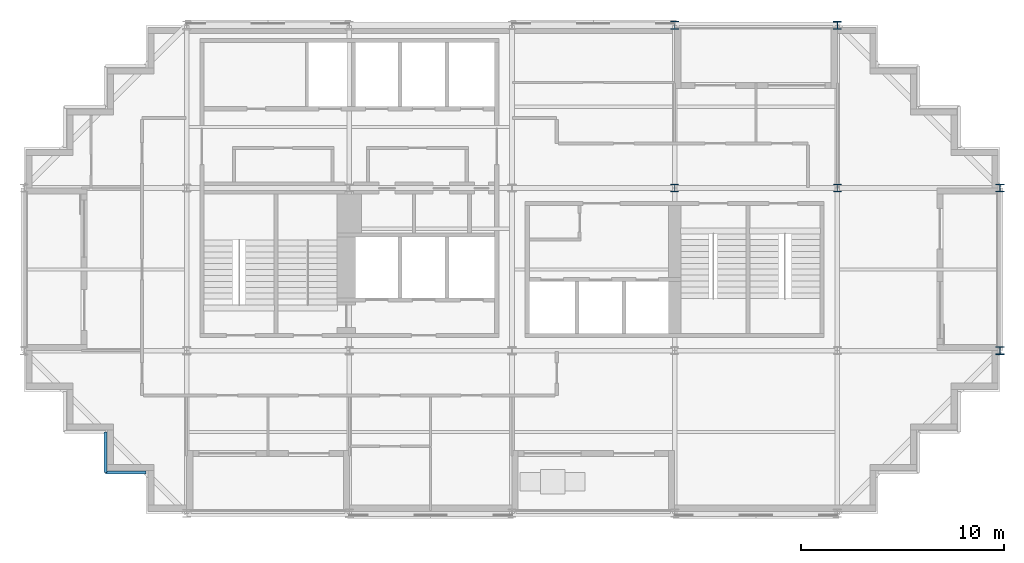
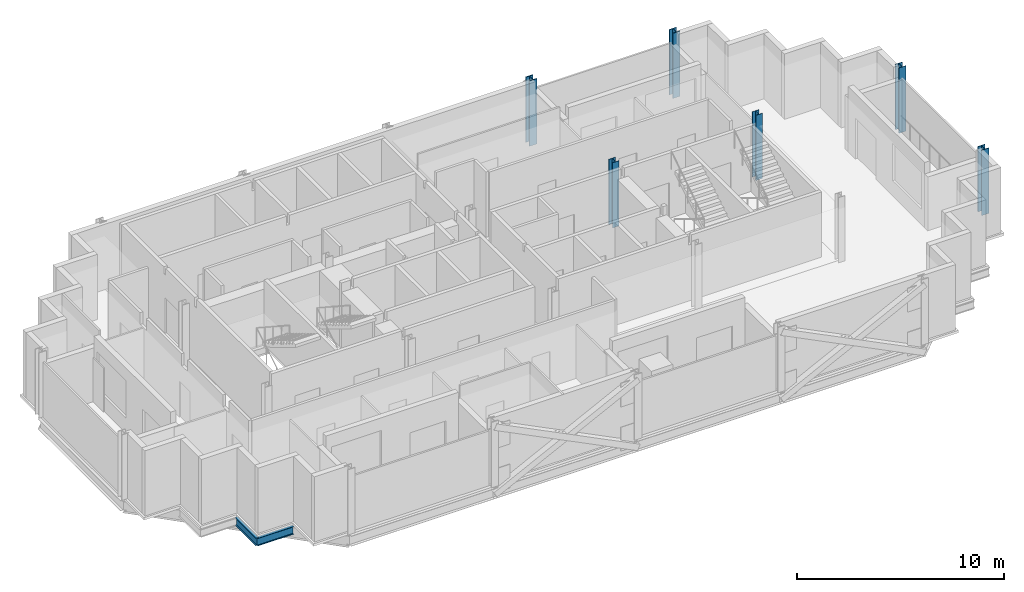
# One storey, part 2 of 10: 6 columns, 2 beams.
"""IFC4 building model written with IfcOpenShell, lengths in metres."""

from ifc_helpers import new_model, si_unit, direction, frame, origin, origin_2d, place, context, subcontext, project, spatial, i_section, extrude, material, material_profile, profile_set, type_object, element, save


model = new_model("IFC4")

# Units and contexts
model_context = context("Model", 3, precision=1e-05, world=origin(), true_north=direction((0.0, 1.0)))
body_context = subcontext(model_context, "Body", "Model", "MODEL_VIEW")
ifc_project = project(units=[si_unit("LENGTHUNIT", "METRE"), si_unit("AREAUNIT", "SQUARE_METRE"), si_unit("VOLUMEUNIT", "CUBIC_METRE"), si_unit("PLANEANGLEUNIT", "RADIAN"), si_unit("MASSUNIT", "GRAM", prefix="KILO")], contexts=[model_context])

# Site, building, storey
site_placement = place(None, origin())
site = spatial("IfcSite", under=ifc_project, at=site_placement, CompositionType="ELEMENT")
building_placement = place(site_placement, origin())
building = spatial("IfcBuilding", under=site, at=building_placement, Name="Immortelle Media Tower", CompositionType="ELEMENT")
storey_placement = place(building_placement, frame((0.0, 0.0, 213.0)))
storey = spatial("IfcBuildingStorey", under=building, at=storey_placement, Name="L45", CompositionType="ELEMENT", Elevation=213.0)

# Columns
ifc_material = material(Name="Steel ASTM A992 Gr 50", Category="steel")
ifc_material_profile_1 = material_profile(ifc_material, i_section(OverallWidth=0.373046875, OverallDepth=0.367919921875, WebThickness=0.014892578125, FlangeThickness=0.02392578125, at=origin_2d()), Name="W14x120")
ifc_profile_set_1 = profile_set([ifc_material_profile_1], Name="Steel ASTM A992 Gr 50")
column_type_1 = type_object("IfcColumnType", Name="W14x120 column", PredefinedType="COLUMN", material=ifc_profile_set_1)
for number, where, z_axis, x_axis, name in (
    (1, (32.0, 16.0, 0.0), (0.0, 0.0, 1.0), (1.0, 0.0, 0.0), "Column 5/C"),
    (2, (40.0, 16.0, 0.0), (0.0, 0.0, 1.0), (1.0, 0.0, 0.0), "Column 6/C"),
):
    element("IfcColumn", number, at=place(storey_placement, frame(where, z_axis=z_axis, x_axis=x_axis)), inside=storey, type_object=column_type_1, Name=name, PredefinedType="COLUMN", context=body_context, shape_type="SweptSolid", body=[
        extrude(i_section(OverallWidth=0.373046875, OverallDepth=0.367919921875, WebThickness=0.014892578125, FlangeThickness=0.02392578125, at=origin_2d()), origin(), (0.0, 0.0, 1.0), 3.85009765625),
    ])
ifc_material_profile_2 = material_profile(ifc_material, i_section(OverallWidth=0.39892578125, OverallDepth=0.385986328125, WebThickness=0.02099609375, FlangeThickness=0.032958984375, at=origin_2d()), Name="W14x176")
ifc_profile_set_2 = profile_set([ifc_material_profile_2], Name="Steel ASTM A992 Gr 50")
column_type_2 = type_object("IfcColumnType", Name="W14x176 column", PredefinedType="COLUMN", material=ifc_profile_set_2)
for number, where, z_axis, x_axis, name in (
    (3, (40.0, 24.0, 0.0), (0.0, 0.0, 1.0), (1.0, 0.0, 0.0), "Column 6/D"),
    (4, (48.0, 8.0, 0.0), (0.0, 0.0, 1.0), (1.0, 0.0, 0.0), "Column 7/B"),
    (5, (48.0, 16.0, 0.0), (0.0, 0.0, 1.0), (1.0, 0.0, 0.0), "Column 7/C"),
):
    element("IfcColumn", number, at=place(storey_placement, frame(where, z_axis=z_axis, x_axis=x_axis)), inside=storey, type_object=column_type_2, Name=name, PredefinedType="COLUMN", context=body_context, shape_type="SweptSolid", body=[
        extrude(i_section(OverallWidth=0.39892578125, OverallDepth=0.385986328125, WebThickness=0.02099609375, FlangeThickness=0.032958984375, at=origin_2d()), origin(), (0.0, 0.0, 1.0), 3.85009765625),
    ])
ifc_material_profile_3 = material_profile(ifc_material, i_section(OverallWidth=0.406005859375, OverallDepth=0.4169921875, WebThickness=0.030029296875, FlangeThickness=0.048095703125, at=origin_2d()), Name="W14x257")
ifc_profile_set_3 = profile_set([ifc_material_profile_3], Name="Steel ASTM A992 Gr 50")
column_type_3 = type_object("IfcColumnType", Name="W14x257 column", PredefinedType="COLUMN", material=ifc_profile_set_3)
column_placement = place(storey_placement, frame((32.0, 24.0, 0.0), z_axis=(0.0, 0.0, 1.0), x_axis=(1.0, 0.0, 0.0)))
element("IfcColumn", 6, at=column_placement, inside=storey, type_object=column_type_3, Name="Column 5/D", PredefinedType="COLUMN", context=body_context, shape_type="SweptSolid", body=[
    extrude(i_section(OverallWidth=0.406005859375, OverallDepth=0.4169921875, WebThickness=0.030029296875, FlangeThickness=0.048095703125, at=origin_2d()), origin(), (0.0, 0.0, 1.0), 3.85009765625),
])

# Beams
ifc_material_profile_4 = material_profile(ifc_material, i_section(OverallWidth=0.153076171875, OverallDepth=0.455078125, WebThickness=0.008056640625, FlangeThickness=0.012939453125, at=origin_2d()), Name="W18x40")
ifc_profile_set_4 = profile_set([ifc_material_profile_4], Name="Steel ASTM A992 Gr 50")
beam_type = type_object("IfcBeamType", Name="W18x40 serration edge beam", PredefinedType="SPANDREL", material=ifc_profile_set_4)
for number, where, z_axis, x_axis, name in (
    (7, (6.0, 2.0, -0.37744140625), (-1.0, 0.0, 0.0), (0.0, -1.0, 0.0), "Corner edge beam 1 at 1/A"),
    (8, (4.0, 2.0, -0.37744140625), (0.0, 1.0, 0.0), (-1.0, 0.0, 0.0), "Corner edge beam 2 at 1/A"),
):
    element("IfcBeam", number, at=place(storey_placement, frame(where, z_axis=z_axis, x_axis=x_axis)), inside=storey, type_object=beam_type, Name=name, PredefinedType="SPANDREL", context=body_context, shape_type="SweptSolid", body=[
        extrude(i_section(OverallWidth=0.153076171875, OverallDepth=0.455078125, WebThickness=0.008056640625, FlangeThickness=0.012939453125, at=origin_2d()), origin(), (0.0, 0.0, 1.0), 2.0),
    ])

save(model, "model.ifc")
